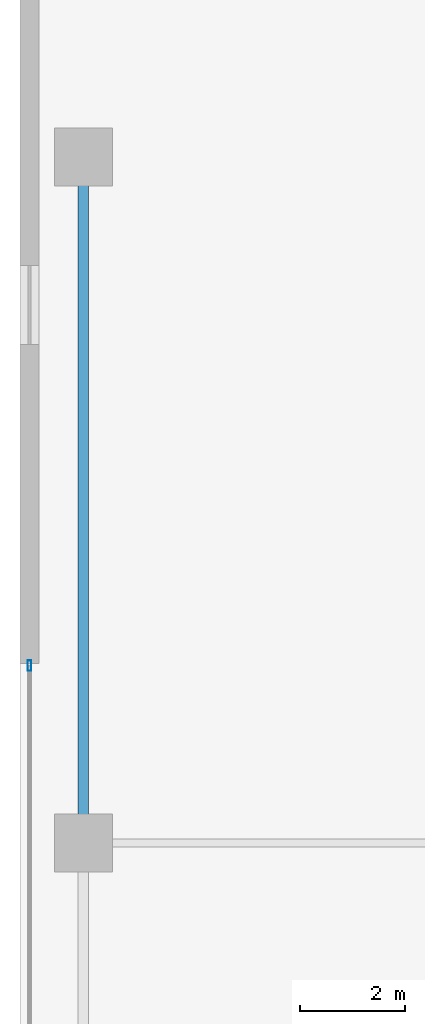
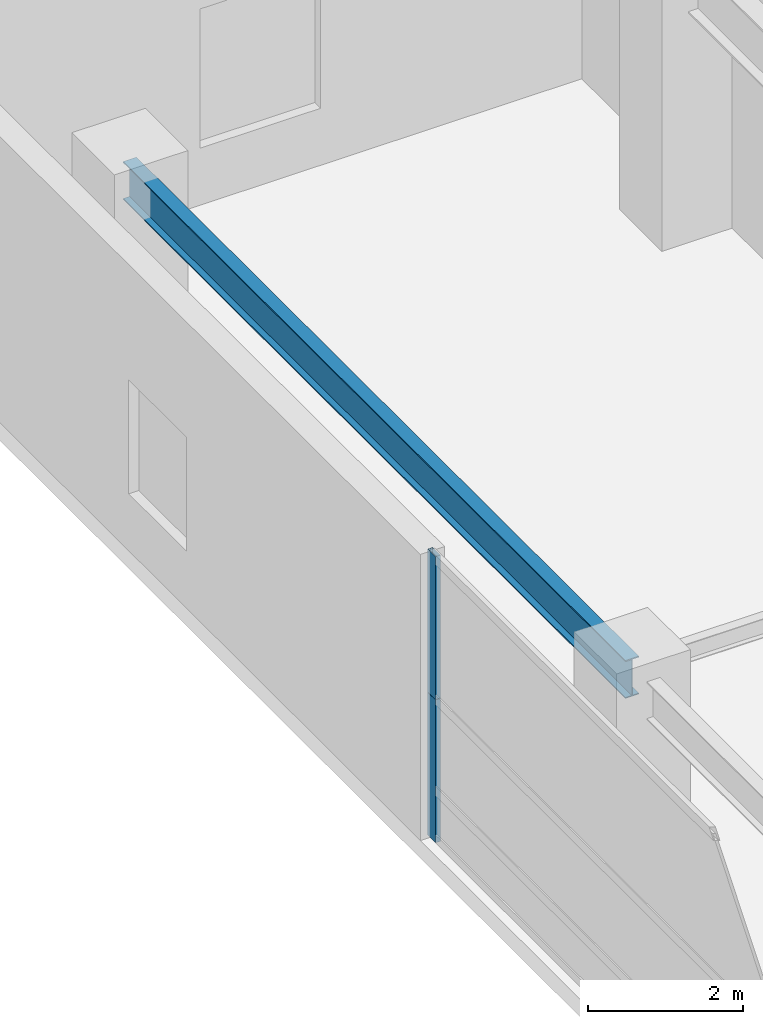
# One storey, part 17 of 39: 2 members, 1 beam, 1 element without a shape of its own.
"""IFC4 building model written with IfcOpenShell, lengths in metres."""

from ifc_helpers import new_model, si_unit, direction, frame, origin, origin_2d, place, context, subcontext, project, spatial, hollow_rectangle, i_section, extrude, source, transform, mapped, material, layer, layer_set, material_profile, profile_set, type_object, element, aggregate, save


model = new_model("IFC4")

# Units and contexts
model_context = context("Model", 3, precision=1e-05, world=origin(), true_north=direction((0.0, 1.0)))
body_context = subcontext(model_context, "Body", "Model", "MODEL_VIEW")
ifc_project = project(units=[si_unit("LENGTHUNIT", "METRE"), si_unit("AREAUNIT", "SQUARE_METRE"), si_unit("VOLUMEUNIT", "CUBIC_METRE"), si_unit("PLANEANGLEUNIT", "RADIAN"), si_unit("MASSUNIT", "GRAM", prefix="KILO"), si_unit("THERMODYNAMICTEMPERATUREUNIT", "KELVIN"), si_unit("POWERUNIT", "WATT")], contexts=[model_context])

# Site, building, storey
site_placement = place(None, origin())
site = spatial("IfcSite", under=ifc_project, at=site_placement, CompositionType="ELEMENT")
building_placement = place(site_placement, origin())
building = spatial("IfcBuilding", under=site, at=building_placement, Name="Yuzanri Waterfront Tower", CompositionType="ELEMENT")
storey_placement = place(building_placement, frame((0.0, 0.0, 15.0)))
storey = spatial("IfcBuildingStorey", under=building, at=storey_placement, Name="L04", CompositionType="ELEMENT", Elevation=15.0)

# Beam
ifc_material_1 = material(Name="Steel Q355B", Category="steel")
ifc_material_profile_1 = material_profile(ifc_material_1, i_section(OverallWidth=0.199951171875, OverallDepth=0.60009765625, WebThickness=0.010986328125, FlangeThickness=0.01708984375, at=origin_2d()), Name="HN 600x200x11x17")
ifc_profile_set_1 = profile_set([ifc_material_profile_1], Name="Steel Q355B")
beam_type = type_object("IfcBeamType", Name="Perimeter Spandrel Q355B HN 600x200", PredefinedType="SPANDREL", material=ifc_profile_set_1)
shared_shape_1 = source(origin(), body_context, "Body", "SweptSolid", [
    extrude(i_section(OverallWidth=0.199951171875, OverallDepth=0.60009765625, WebThickness=0.010986328125, FlangeThickness=0.01708984375, at=origin_2d()), origin(), (0.0, 0.0, 1.0), 13.0),
])
beam_placement = place(storey_placement, frame((3.199951171875, 32.199951171875, 4.219970703125), z_axis=(0.0, 1.0, 0.0), x_axis=(-1.0, 0.0, 0.0)))
element("IfcBeam", 1, at=beam_placement, inside=storey, type_object=beam_type, Name="L04 West Podium Spandrel 3", PredefinedType="SPANDREL", context=body_context, shape_type="MappedRepresentation", body=[
    mapped(shared_shape_1, transform((0.0, 0.0, 0.0), scale=1.0)),
])

# Curtain wall, members
ifc_material_2 = material(Name="Anodized Architectural Bronze", Category="metal")
ifc_layer = layer(ifc_material_2, 0.159912109375)
ifc_layer_set = layer_set([ifc_layer], Name="Anodized Architectural Bronze")
curtain_wall_type = type_object("IfcCurtainWallType", Name="Anodized Bronze Podium Waterfront Double-Height Unitized Curtain Wall 8400", PredefinedType="NOTDEFINED", material=ifc_layer_set)
curtain_wall_placement = place(storey_placement, origin())
curtain_wall = element("IfcCurtainWall", 2, at=curtain_wall_placement, inside=storey, type_object=curtain_wall_type, Name="L04 Curtain Wall CW-L04-W", PredefinedType="NOTDEFINED")
ifc_material_3 = material(Name="Anodized Architectural Bronze", Category="metal")
ifc_material_profile_2 = material_profile(ifc_material_3, hollow_rectangle(XDim=0.074951171875, YDim=0.199951171875, WallThickness=0.00390625, at=origin_2d()), Name="CWM 75x200")
ifc_profile_set_2 = profile_set([ifc_material_profile_2], Name="Anodized Architectural Bronze")
member_type = type_object("IfcMemberType", Name="Anodized Bronze Primary Curtain-Wall Mullion 75x200", PredefinedType="MULLION", material=ifc_profile_set_2)
shared_shape_2 = source(origin(), body_context, "Body", "SweptSolid", [
    extrude(hollow_rectangle(XDim=0.074951171875, YDim=0.199951171875, WallThickness=0.00390625, at=origin_2d()), origin(), (0.0, 0.0, 1.0), 2.258056640625),
])
member_1_placement = place(storey_placement, frame((2.179931640625, 35.56005859375, 0.0), z_axis=(0.0, 0.0, 1.0), x_axis=(1.0, 0.0, 0.0)))
member_1 = element("IfcMember", 3, at=member_1_placement, type_object=member_type, Name="CW-L04-W Lower Mullion 02", PredefinedType="MULLION", context=body_context, shape_type="MappedRepresentation", body=[
    mapped(shared_shape_2, transform((0.0, 0.0, 0.0), scale=1.0)),
])
member_2_placement = place(storey_placement, frame((2.179931640625, 35.56005859375, 2.261962890625), z_axis=(0.0, 0.0, 1.0), x_axis=(1.0, 0.0, 0.0)))
member_2 = element("IfcMember", 4, at=member_2_placement, type_object=member_type, Name="CW-L04-W Upper Mullion 02", PredefinedType="MULLION", context=body_context, shape_type="MappedRepresentation", body=[
    mapped(shared_shape_2, transform((0.0, 0.0, 0.0), scale=1.0)),
])
aggregate(curtain_wall, [member_1, member_2])

save(model, "model.ifc")
